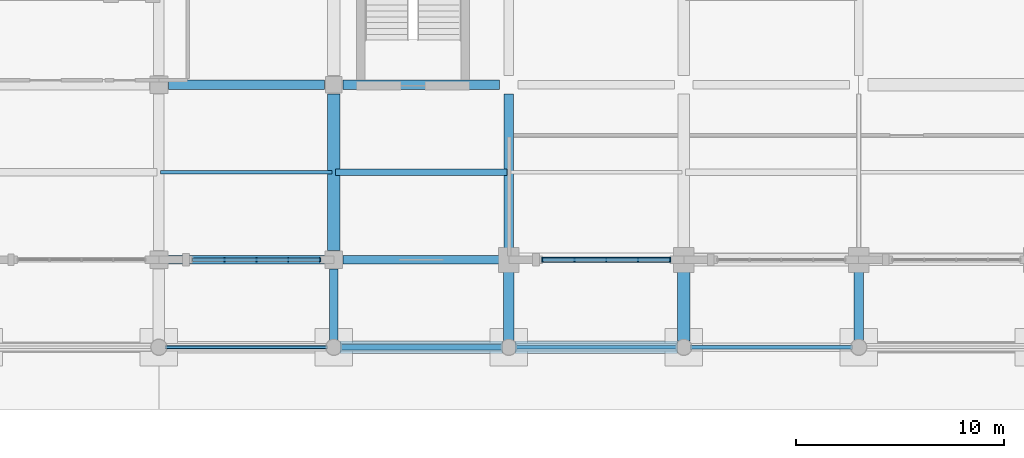
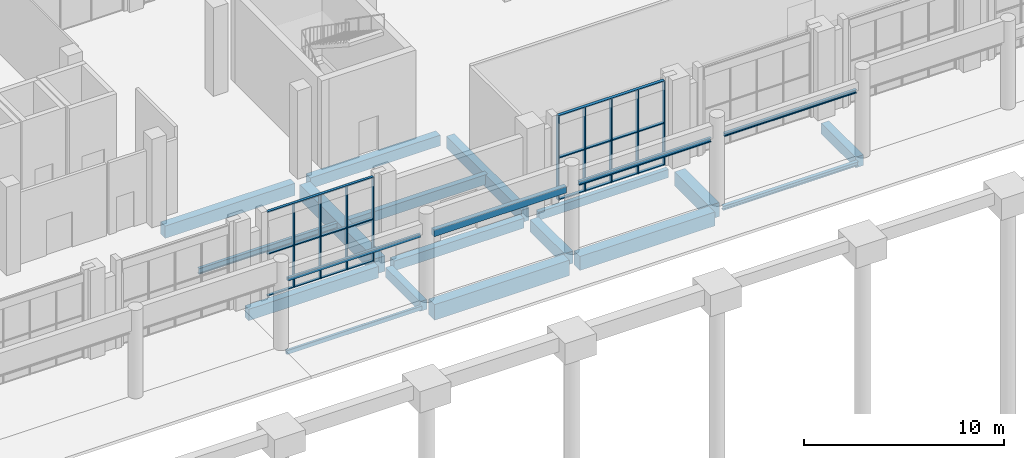
# One storey, part 30 of 82: 21 beams, 15 members, 2 elements without a shape of their own.
"""IFC4 building model written with IfcOpenShell, lengths in metres."""

from ifc_helpers import new_model, si_unit, derived_unit, direction, frame, origin, origin_2d, place, context, subcontext, project, spatial, rectangle, hollow_rectangle, i_section, extrude, material, material_profile, profile_set, type_object, element, aggregate, save


model = new_model("IFC4")

# Units and contexts
model_context = context("Model", 3, precision=1e-05, world=origin(), true_north=direction((0.0, 1.0)))
body_context = subcontext(model_context, "Body", "Model", "MODEL_VIEW")
ifc_project = project(units=[si_unit("LENGTHUNIT", "METRE"), si_unit("AREAUNIT", "SQUARE_METRE"), si_unit("VOLUMEUNIT", "CUBIC_METRE"), si_unit("PLANEANGLEUNIT", "RADIAN"), si_unit("MASSUNIT", "GRAM", prefix="KILO"), derived_unit("THERMALTRANSMITTANCEUNIT", [(si_unit("POWERUNIT", "WATT"), 1), (si_unit("LENGTHUNIT", "METRE"), -2), (si_unit("THERMODYNAMICTEMPERATUREUNIT", "KELVIN"), -1)])], contexts=[model_context])

# Site, building, storey
site_placement = place(None, origin())
site = spatial("IfcSite", under=ifc_project, at=site_placement, CompositionType="ELEMENT")
building_placement = place(site_placement, origin())
building = spatial("IfcBuilding", under=site, at=building_placement, Name="Barrovel Congress Hotel", CompositionType="ELEMENT")
storey_placement = place(building_placement, origin())
storey = spatial("IfcBuildingStorey", under=building, at=storey_placement, Name="L00", CompositionType="ELEMENT", Elevation=0.0)

# Beams
ifc_material_1 = material(Name="Concrete C40", Category="concrete")
ifc_material_profile_1 = material_profile(ifc_material_1, rectangle(XDim=0.25, YDim=0.39990234375, at=origin_2d()), Name="RC250x400")
ifc_profile_set_1 = profile_set([ifc_material_profile_1], Name="Concrete C40")
beam_type_1 = type_object("IfcBeamType", Name="BM-RC250x400", PredefinedType="LINTEL", material=ifc_profile_set_1)
beam_1_placement = place(storey_placement, frame((101.175048828125, 0.0, 3.89990234375), z_axis=(1.0, 0.0, 0.0), x_axis=(0.0, 1.0, 0.0)))
element("IfcBeam", 1, at=beam_1_placement, inside=storey, type_object=beam_type_1, Name="LIN:L00:100.8-109.2", PredefinedType="LINTEL", context=body_context, shape_type="SweptSolid", body=[
    extrude(rectangle(XDim=0.25, YDim=0.39990234375, at=origin_2d()), origin(), (0.0, 0.0, 1.0), 7.64990234375),
])
ifc_material_profile_2 = material_profile(ifc_material_1, rectangle(XDim=0.25, YDim=0.5, at=origin_2d()), Name="RC250x500")
ifc_profile_set_2 = profile_set([ifc_material_profile_2], Name="Concrete C40")
beam_type_2 = type_object("IfcBeamType", Name="BM-RC250x500", PredefinedType="SPANDREL", material=ifc_profile_set_2)
beam_2_placement = place(storey_placement, frame((109.64990234375, 4.199951171875, -0.570068359375), z_axis=(1.0, 0.0, 0.0), x_axis=(0.0, 1.0, 0.0)))
element("IfcBeam", 2, at=beam_2_placement, inside=storey, type_object=beam_type_2, Name="BMX:L00:4.2:109.2-117.6", PredefinedType="SPANDREL", context=body_context, shape_type="SweptSolid", body=[
    extrude(rectangle(XDim=0.25, YDim=0.5, at=origin_2d()), origin(), (0.0, 0.0, 1.0), 7.5),
])
ifc_material_profile_3 = material_profile(ifc_material_1, rectangle(XDim=0.300048828125, YDim=0.60009765625, at=origin_2d()), Name="RC300x600")
ifc_profile_set_3 = profile_set([ifc_material_profile_3], Name="Concrete C40")
beam_type_3 = type_object("IfcBeamType", Name="BM-RC300x600", PredefinedType="JOIST", material=ifc_profile_set_3)
beam_3_placement = place(storey_placement, frame((100.8798828125, 8.39990234375, -0.6201171875), z_axis=(1.0, 0.0, 0.0), x_axis=(0.0, 1.0, 0.0)))
element("IfcBeam", 3, at=beam_3_placement, inside=storey, type_object=beam_type_3, Name="JST:L00:100.8:8.4", PredefinedType="JOIST", context=body_context, shape_type="SweptSolid", body=[
    extrude(rectangle(XDim=0.300048828125, YDim=0.60009765625, at=origin_2d()), origin(), (0.0, 0.0, 1.0), 8.240234375),
])
ifc_material_profile_4 = material_profile(ifc_material_1, rectangle(XDim=0.39990234375, YDim=0.60009765625, at=origin_2d()), Name="RC400x600")
ifc_profile_set_4 = profile_set([ifc_material_profile_4], Name="Concrete C40")
beam_type_4 = type_object("IfcBeamType", Name="BM-RC400x600", PredefinedType="BEAM", material=ifc_profile_set_4)
beam_4_placement = place(storey_placement, frame((101.25, 4.199951171875, -0.6201171875), z_axis=(1.0, 0.0, 0.0), x_axis=(0.0, 1.0, 0.0)))
element("IfcBeam", 4, at=beam_4_placement, inside=storey, type_object=beam_type_4, Name="BMX:L00:4.2:100.8-109.2", PredefinedType="BEAM", context=body_context, shape_type="SweptSolid", body=[
    extrude(rectangle(XDim=0.39990234375, YDim=0.60009765625, at=origin_2d()), origin(), (0.0, 0.0, 1.0), 7.5),
])
beam_5_placement = place(storey_placement, frame((100.800048828125, 0.300048828125, -0.6201171875), z_axis=(0.0, 1.0, 0.0), x_axis=(-1.0, 0.0, 0.0)))
element("IfcBeam", 5, at=beam_5_placement, inside=storey, type_object=beam_type_4, Name="BMY:L00:100.8:0.0-4.2", PredefinedType="BEAM", context=body_context, shape_type="SweptSolid", body=[
    extrude(rectangle(XDim=0.39990234375, YDim=0.60009765625, at=origin_2d()), origin(), (0.0, 0.0, 1.0), 3.449951171875),
])
ifc_material_profile_5 = material_profile(ifc_material_1, rectangle(XDim=0.39990234375, YDim=0.699951171875, at=origin_2d()), Name="RC400x700")
ifc_profile_set_5 = profile_set([ifc_material_profile_5], Name="Concrete C40")
beam_type_5 = type_object("IfcBeamType", Name="BM-RC400x700", PredefinedType="BEAM", material=ifc_profile_set_5)
beam_6_placement = place(storey_placement, frame((92.85009765625, 4.199951171875, -0.669921875), z_axis=(1.0, 0.0, 0.0), x_axis=(0.0, 1.0, 0.0)))
element("IfcBeam", 6, at=beam_6_placement, inside=storey, type_object=beam_type_5, Name="BMX:L00:4.2:92.4-100.8", PredefinedType="BEAM", context=body_context, shape_type="SweptSolid", body=[
    extrude(rectangle(XDim=0.39990234375, YDim=0.699951171875, at=origin_2d()), origin(), (0.0, 0.0, 1.0), 7.5),
])
ifc_material_profile_6 = material_profile(ifc_material_1, rectangle(XDim=0.449951171875, YDim=0.64990234375, at=origin_2d()), Name="RC450x650")
ifc_profile_set_6 = profile_set([ifc_material_profile_6], Name="Concrete C40")
beam_type_6 = type_object("IfcBeamType", Name="BM-RC450x650", PredefinedType="BEAM", material=ifc_profile_set_6)
beam_7_placement = place(storey_placement, frame((101.25, 12.60009765625, -0.64501953125), z_axis=(1.0, 0.0, 0.0), x_axis=(0.0, 1.0, 0.0)))
element("IfcBeam", 7, at=beam_7_placement, inside=storey, type_object=beam_type_6, Name="BMX:L00:12.6:100.8-109.2", PredefinedType="BEAM", context=body_context, shape_type="SweptSolid", body=[
    extrude(rectangle(XDim=0.449951171875, YDim=0.64990234375, at=origin_2d()), origin(), (0.0, 0.0, 1.0), 7.5),
])
beam_8_placement = place(storey_placement, frame((126.0, 0.300048828125, -0.64501953125), z_axis=(0.0, 1.0, 0.0), x_axis=(-1.0, 0.0, 0.0)))
element("IfcBeam", 8, at=beam_8_placement, inside=storey, type_object=beam_type_6, Name="BMY:L00:126.0:0.0-4.2", PredefinedType="BEAM", context=body_context, shape_type="SweptSolid", body=[
    extrude(rectangle(XDim=0.449951171875, YDim=0.64990234375, at=origin_2d()), origin(), (0.0, 0.0, 1.0), 3.449951171875),
])
ifc_material_profile_7 = material_profile(ifc_material_1, rectangle(XDim=0.449951171875, YDim=0.75, at=origin_2d()), Name="RC450x750")
ifc_profile_set_7 = profile_set([ifc_material_profile_7], Name="Concrete C40")
beam_type_7 = type_object("IfcBeamType", Name="BM-RC450x750", PredefinedType="BEAM", material=ifc_profile_set_7)
for number, where, z_axis, x_axis, name in (
    (9, (92.85009765625, 12.60009765625, -0.695068359375), (1.0, 0.0, 0.0), (0.0, 1.0, 0.0), "BMX:L00:12.6:92.4-100.8"),
    (10, (109.199951171875, 4.64990234375, -0.695068359375), (0.0, 1.0, 0.0), (-1.0, 0.0, 0.0), "BMY:L00:109.2:4.2-12.6"),
):
    element("IfcBeam", number, at=place(storey_placement, frame(where, z_axis=z_axis, x_axis=x_axis)), inside=storey, type_object=beam_type_7, Name=name, PredefinedType="BEAM", context=body_context, shape_type="SweptSolid", body=[
        extrude(rectangle(XDim=0.449951171875, YDim=0.75, at=origin_2d()), origin(), (0.0, 0.0, 1.0), 7.5),
    ])
ifc_material_profile_8 = material_profile(ifc_material_1, rectangle(XDim=0.5, YDim=0.75, at=origin_2d()), Name="RC500x750")
ifc_profile_set_8 = profile_set([ifc_material_profile_8], Name="Concrete C40")
beam_type_8 = type_object("IfcBeamType", Name="BM-RC500x750", PredefinedType="BEAM", material=ifc_profile_set_8)
beam_9_placement = place(storey_placement, frame((109.199951171875, 0.300048828125, -0.695068359375), z_axis=(0.0, 1.0, 0.0), x_axis=(-1.0, 0.0, 0.0)))
element("IfcBeam", 11, at=beam_9_placement, inside=storey, type_object=beam_type_8, Name="BMY:L00:109.2:0.0-4.2", PredefinedType="BEAM", context=body_context, shape_type="SweptSolid", body=[
    extrude(rectangle(XDim=0.5, YDim=0.75, at=origin_2d()), origin(), (0.0, 0.0, 1.0), 3.449951171875),
])
ifc_material_profile_9 = material_profile(ifc_material_1, rectangle(XDim=0.60009765625, YDim=0.85009765625, at=origin_2d()), Name="RC600x850")
ifc_profile_set_9 = profile_set([ifc_material_profile_9], Name="Concrete C40")
beam_type_9 = type_object("IfcBeamType", Name="BM-RC600x850", PredefinedType="BEAM", material=ifc_profile_set_9)
beam_10_placement = place(storey_placement, frame((109.5, 0.0, -0.7451171875), z_axis=(1.0, 0.0, 0.0), x_axis=(0.0, 1.0, 0.0)))
element("IfcBeam", 12, at=beam_10_placement, inside=storey, type_object=beam_type_9, Name="BMX:L00:0.0:109.2-117.6", PredefinedType="BEAM", context=body_context, shape_type="SweptSolid", body=[
    extrude(rectangle(XDim=0.60009765625, YDim=0.85009765625, at=origin_2d()), origin(), (0.0, 0.0, 1.0), 7.800048828125),
])
beam_11_placement = place(storey_placement, frame((117.60009765625, 0.300048828125, -0.7451171875), z_axis=(0.0, 1.0, 0.0), x_axis=(-1.0, 0.0, 0.0)))
element("IfcBeam", 13, at=beam_11_placement, inside=storey, type_object=beam_type_9, Name="BMY:L00:117.6:0.0-4.2", PredefinedType="BEAM", context=body_context, shape_type="SweptSolid", body=[
    extrude(rectangle(XDim=0.60009765625, YDim=0.85009765625, at=origin_2d()), origin(), (0.0, 0.0, 1.0), 3.449951171875),
])
ifc_material_profile_10 = material_profile(ifc_material_1, rectangle(XDim=0.60009765625, YDim=0.949951171875, at=origin_2d()), Name="RC600x950")
ifc_profile_set_10 = profile_set([ifc_material_profile_10], Name="Concrete C40")
beam_type_10 = type_object("IfcBeamType", Name="BM-RC600x950", PredefinedType="BEAM", material=ifc_profile_set_10)
beam_12_placement = place(storey_placement, frame((101.10009765625, 0.0, -0.794921875), z_axis=(1.0, 0.0, 0.0), x_axis=(0.0, 1.0, 0.0)))
element("IfcBeam", 14, at=beam_12_placement, inside=storey, type_object=beam_type_10, Name="BMX:L00:0.0:100.8-109.2", PredefinedType="BEAM", context=body_context, shape_type="SweptSolid", body=[
    extrude(rectangle(XDim=0.60009765625, YDim=0.949951171875, at=origin_2d()), origin(), (0.0, 0.0, 1.0), 7.7998046875),
])
beam_13_placement = place(storey_placement, frame((100.800048828125, 4.64990234375, -0.794921875), z_axis=(0.0, 1.0, 0.0), x_axis=(-1.0, 0.0, 0.0)))
element("IfcBeam", 15, at=beam_13_placement, inside=storey, type_object=beam_type_10, Name="BMY:L00:100.8:4.2-12.6", PredefinedType="BEAM", context=body_context, shape_type="SweptSolid", body=[
    extrude(rectangle(XDim=0.60009765625, YDim=0.949951171875, at=origin_2d()), origin(), (0.0, 0.0, 1.0), 7.5),
])

# Curtain wall, members
ifc_material_2 = material(Name="Anodised Aluminium Alloy 6063-T6", Category="aluminium")
curtain_wall_type = type_object("IfcCurtainWallType", Name="CW-ST-7200x4800", PredefinedType="USERDEFINED", material=ifc_material_2)
curtain_wall_1_placement = place(storey_placement, origin())
curtain_wall_1 = element("IfcCurtainWall", 16, at=curtain_wall_1_placement, inside=storey, type_object=curtain_wall_type, Name="CW:L00:S:11", ObjectType="STICK CURTAIN WALL", PredefinedType="USERDEFINED")
ifc_material_profile_11 = material_profile(ifc_material_2, rectangle(XDim=0.06494140625, YDim=0.18994140625, at=origin_2d()), Name="AL-M65x190")
ifc_profile_set_11 = profile_set([ifc_material_profile_11], Name="Anodised Aluminium Alloy 6063-T6")
member_type_1 = type_object("IfcMemberType", Name="CWM-AL-M65x190", PredefinedType="MULLION", material=ifc_profile_set_11)
member_1_placement = place(storey_placement, frame((95.550048828125, 4.199951171875, 0.0), z_axis=(0.0, 0.0, 1.0), x_axis=(1.0, 0.0, 0.0)))
member_1 = element("IfcMember", 17, at=member_1_placement, type_object=member_type_1, Name="CW:L00:S:11:M1", PredefinedType="MULLION", context=body_context, shape_type="SweptSolid", body=[
    extrude(rectangle(XDim=0.06494140625, YDim=0.18994140625, at=origin_2d()), origin(), (0.0, 0.0, 1.0), 5.1201171875),
])
member_2_placement = place(storey_placement, frame((97.080078125, 4.199951171875, 0.0), z_axis=(0.0, 0.0, 1.0), x_axis=(1.0, 0.0, 0.0)))
member_2 = element("IfcMember", 18, at=member_2_placement, type_object=member_type_1, Name="CW:L00:S:11:M2", PredefinedType="MULLION", context=body_context, shape_type="SweptSolid", body=[
    extrude(rectangle(XDim=0.06494140625, YDim=0.18994140625, at=origin_2d()), origin(), (0.0, 0.0, 1.0), 5.1201171875),
])
member_3_placement = place(storey_placement, frame((98.610107421875, 4.199951171875, 0.0), z_axis=(0.0, 0.0, 1.0), x_axis=(1.0, 0.0, 0.0)))
member_3 = element("IfcMember", 19, at=member_3_placement, type_object=member_type_1, Name="CW:L00:S:11:M3", PredefinedType="MULLION", context=body_context, shape_type="SweptSolid", body=[
    extrude(rectangle(XDim=0.06494140625, YDim=0.18994140625, at=origin_2d()), origin(), (0.0, 0.0, 1.0), 5.1201171875),
])
member_4_placement = place(storey_placement, frame((100.139892578125, 4.199951171875, 0.0), z_axis=(0.0, 0.0, 1.0), x_axis=(1.0, 0.0, 0.0)))
member_4 = element("IfcMember", 20, at=member_4_placement, type_object=member_type_1, Name="CW:L00:S:11:M4", PredefinedType="MULLION", context=body_context, shape_type="SweptSolid", body=[
    extrude(rectangle(XDim=0.06494140625, YDim=0.18994140625, at=origin_2d()), origin(), (0.0, 0.0, 1.0), 5.1201171875),
])

curtain_wall_2_placement = place(storey_placement, origin())
curtain_wall_2 = element("IfcCurtainWall", 21, at=curtain_wall_2_placement, inside=storey, type_object=curtain_wall_type, Name="CW:L00:S:13", ObjectType="STICK CURTAIN WALL", PredefinedType="USERDEFINED")
ifc_material_profile_12 = material_profile(ifc_material_2, rectangle(XDim=0.06494140625, YDim=0.219970703125, at=origin_2d()), Name="AL-M65x220")
ifc_profile_set_12 = profile_set([ifc_material_profile_12], Name="Anodised Aluminium Alloy 6063-T6")
member_type_2 = type_object("IfcMemberType", Name="CWM-AL-M65x220", PredefinedType="MULLION", material=ifc_profile_set_12)
member_5_placement = place(storey_placement, frame((110.820068359375, 4.199951171875, 0.0), z_axis=(0.0, 0.0, 1.0), x_axis=(1.0, 0.0, 0.0)))
member_5 = element("IfcMember", 22, at=member_5_placement, type_object=member_type_2, Name="CW:L00:S:13:M0", PredefinedType="MULLION", context=body_context, shape_type="SweptSolid", body=[
    extrude(rectangle(XDim=0.06494140625, YDim=0.219970703125, at=origin_2d()), origin(), (0.0, 0.0, 1.0), 5.1201171875),
])
member_6_placement = place(storey_placement, frame((112.35009765625, 4.199951171875, 0.0), z_axis=(0.0, 0.0, 1.0), x_axis=(1.0, 0.0, 0.0)))
member_6 = element("IfcMember", 23, at=member_6_placement, type_object=member_type_2, Name="CW:L00:S:13:M1", PredefinedType="MULLION", context=body_context, shape_type="SweptSolid", body=[
    extrude(rectangle(XDim=0.06494140625, YDim=0.219970703125, at=origin_2d()), origin(), (0.0, 0.0, 1.0), 5.1201171875),
])
member_7_placement = place(storey_placement, frame((113.8798828125, 4.199951171875, 0.0), z_axis=(0.0, 0.0, 1.0), x_axis=(1.0, 0.0, 0.0)))
member_7 = element("IfcMember", 24, at=member_7_placement, type_object=member_type_2, Name="CW:L00:S:13:M2", PredefinedType="MULLION", context=body_context, shape_type="SweptSolid", body=[
    extrude(rectangle(XDim=0.06494140625, YDim=0.219970703125, at=origin_2d()), origin(), (0.0, 0.0, 1.0), 5.1201171875),
])
member_8_placement = place(storey_placement, frame((115.409912109375, 4.199951171875, 0.0), z_axis=(0.0, 0.0, 1.0), x_axis=(1.0, 0.0, 0.0)))
member_8 = element("IfcMember", 25, at=member_8_placement, type_object=member_type_2, Name="CW:L00:S:13:M3", PredefinedType="MULLION", context=body_context, shape_type="SweptSolid", body=[
    extrude(rectangle(XDim=0.06494140625, YDim=0.219970703125, at=origin_2d()), origin(), (0.0, 0.0, 1.0), 5.1201171875),
])
member_9_placement = place(storey_placement, frame((116.93994140625, 4.199951171875, 0.0), z_axis=(0.0, 0.0, 1.0), x_axis=(1.0, 0.0, 0.0)))
member_9 = element("IfcMember", 26, at=member_9_placement, type_object=member_type_2, Name="CW:L00:S:13:M4", PredefinedType="MULLION", context=body_context, shape_type="SweptSolid", body=[
    extrude(rectangle(XDim=0.06494140625, YDim=0.219970703125, at=origin_2d()), origin(), (0.0, 0.0, 1.0), 5.1201171875),
])

# Member
ifc_material_profile_13 = material_profile(ifc_material_2, rectangle(XDim=0.14990234375, YDim=0.06494140625, at=origin_2d()), Name="AL-T65x150")
ifc_profile_set_13 = profile_set([ifc_material_profile_13], Name="Anodised Aluminium Alloy 6063-T6")
member_type_3 = type_object("IfcMemberType", Name="CWT-AL-T65x150", PredefinedType="USERDEFINED", material=ifc_profile_set_13)
member_10_placement = place(storey_placement, frame((94.02001953125, 4.199951171875, 0.0), z_axis=(1.0, 0.0, 0.0), x_axis=(0.0, 1.0, 0.0)))
member_10 = element("IfcMember", 27, at=member_10_placement, type_object=member_type_3, Name="CW:L00:S:11:T0", ObjectType="TRANSOM", PredefinedType="USERDEFINED", context=body_context, shape_type="SweptSolid", body=[
    extrude(rectangle(XDim=0.14990234375, YDim=0.06494140625, at=origin_2d()), origin(), (0.0, 0.0, 1.0), 6.119873046875),
])

member_11_placement = place(storey_placement, frame((94.02001953125, 4.199951171875, 2.56005859375), z_axis=(1.0, 0.0, 0.0), x_axis=(0.0, 1.0, 0.0)))
member_11 = element("IfcMember", 28, at=member_11_placement, type_object=member_type_3, Name="CW:L00:S:11:T1", ObjectType="TRANSOM", PredefinedType="USERDEFINED", context=body_context, shape_type="SweptSolid", body=[
    extrude(rectangle(XDim=0.14990234375, YDim=0.06494140625, at=origin_2d()), origin(), (0.0, 0.0, 1.0), 6.119873046875),
])

member_12_placement = place(storey_placement, frame((94.02001953125, 4.199951171875, 5.1201171875), z_axis=(1.0, 0.0, 0.0), x_axis=(0.0, 1.0, 0.0)))
member_12 = element("IfcMember", 29, at=member_12_placement, type_object=member_type_3, Name="CW:L00:S:11:T2", ObjectType="TRANSOM", PredefinedType="USERDEFINED", context=body_context, shape_type="SweptSolid", body=[
    extrude(rectangle(XDim=0.14990234375, YDim=0.06494140625, at=origin_2d()), origin(), (0.0, 0.0, 1.0), 6.119873046875),
])

aggregate(curtain_wall_1, [member_1, member_2, member_3, member_4, member_10, member_11, member_12])

ifc_material_profile_14 = material_profile(ifc_material_2, rectangle(XDim=0.179931640625, YDim=0.06494140625, at=origin_2d()), Name="AL-T65x180")
ifc_profile_set_14 = profile_set([ifc_material_profile_14], Name="Anodised Aluminium Alloy 6063-T6")
member_type_4 = type_object("IfcMemberType", Name="CWT-AL-T65x180", PredefinedType="USERDEFINED", material=ifc_profile_set_14)
member_13_placement = place(storey_placement, frame((110.820068359375, 4.199951171875, 0.0), z_axis=(1.0, 0.0, 0.0), x_axis=(0.0, 1.0, 0.0)))
member_13 = element("IfcMember", 30, at=member_13_placement, type_object=member_type_4, Name="CW:L00:S:13:T0", ObjectType="TRANSOM", PredefinedType="USERDEFINED", context=body_context, shape_type="SweptSolid", body=[
    extrude(rectangle(XDim=0.179931640625, YDim=0.06494140625, at=origin_2d()), origin(), (0.0, 0.0, 1.0), 6.119873046875),
])

member_14_placement = place(storey_placement, frame((110.820068359375, 4.199951171875, 2.56005859375), z_axis=(1.0, 0.0, 0.0), x_axis=(0.0, 1.0, 0.0)))
member_14 = element("IfcMember", 31, at=member_14_placement, type_object=member_type_4, Name="CW:L00:S:13:T1", ObjectType="TRANSOM", PredefinedType="USERDEFINED", context=body_context, shape_type="SweptSolid", body=[
    extrude(rectangle(XDim=0.179931640625, YDim=0.06494140625, at=origin_2d()), origin(), (0.0, 0.0, 1.0), 6.119873046875),
])

member_15_placement = place(storey_placement, frame((110.820068359375, 4.199951171875, 5.1201171875), z_axis=(1.0, 0.0, 0.0), x_axis=(0.0, 1.0, 0.0)))
member_15 = element("IfcMember", 32, at=member_15_placement, type_object=member_type_4, Name="CW:L00:S:13:T2", ObjectType="TRANSOM", PredefinedType="USERDEFINED", context=body_context, shape_type="SweptSolid", body=[
    extrude(rectangle(XDim=0.179931640625, YDim=0.06494140625, at=origin_2d()), origin(), (0.0, 0.0, 1.0), 6.119873046875),
])

aggregate(curtain_wall_2, [member_5, member_6, member_7, member_8, member_9, member_13, member_14, member_15])

# Beams
ifc_material_3 = material(Name="Steel ASTM A500 Grade C", Category="steel")
ifc_material_profile_15 = material_profile(ifc_material_3, hollow_rectangle(XDim=0.15234375, YDim=0.203125, WallThickness=0.0087890625, InnerFilletRadius=0.0087890625, OuterFilletRadius=0.017578125, at=origin_2d()), Name="HSS203x152x9.5")
ifc_profile_set_15 = profile_set([ifc_material_profile_15], Name="Steel ASTM A500 Grade C")
beam_type_11 = type_object("IfcBeamType", Name="SBM-HSS203x152x9.5", PredefinedType="LINTEL", material=ifc_profile_set_15)
beam_14_placement = place(storey_placement, frame((92.77490234375, 0.0, 3.998291015625), z_axis=(1.0, 0.0, 0.0), x_axis=(0.0, 1.0, 0.0)))
element("IfcBeam", 33, at=beam_14_placement, inside=storey, type_object=beam_type_11, Name="LIN:L00:92.4-100.8", PredefinedType="LINTEL", context=body_context, shape_type="SweptSolid", body=[
    extrude(hollow_rectangle(XDim=0.15234375, YDim=0.203125, WallThickness=0.0087890625, InnerFilletRadius=0.0087890625, OuterFilletRadius=0.017578125, at=origin_2d()), origin(), (0.0, 0.0, 1.0), 7.650146484375),
])
ifc_material_profile_16 = material_profile(ifc_material_3, hollow_rectangle(XDim=0.15234375, YDim=0.25390625, WallThickness=0.0087890625, InnerFilletRadius=0.0087890625, OuterFilletRadius=0.017578125, at=origin_2d()), Name="HSS254x152x9.5")
ifc_profile_set_16 = profile_set([ifc_material_profile_16], Name="Steel ASTM A500 Grade C")
beam_type_12 = type_object("IfcBeamType", Name="SBM-HSS254x152x9.5", PredefinedType="SPANDREL", material=ifc_profile_set_16)
beam_15_placement = place(storey_placement, frame((92.699951171875, 0.0, -0.447021484375), z_axis=(1.0, 0.0, 0.0), x_axis=(0.0, 1.0, 0.0)))
element("IfcBeam", 34, at=beam_15_placement, inside=storey, type_object=beam_type_12, Name="BMX:L00:0.0:92.4-100.8", PredefinedType="SPANDREL", context=body_context, shape_type="SweptSolid", body=[
    extrude(hollow_rectangle(XDim=0.15234375, YDim=0.25390625, WallThickness=0.0087890625, InnerFilletRadius=0.0087890625, OuterFilletRadius=0.017578125, at=origin_2d()), origin(), (0.0, 0.0, 1.0), 7.800048828125),
])
ifc_material_4 = material(Name="Steel ASTM A992 Grade 50", Category="steel")
ifc_material_profile_17 = material_profile(ifc_material_4, i_section(OverallWidth=0.166015625, OverallDepth=0.205078125, WebThickness=0.007080078125, FlangeThickness=0.01171875, FilletRadius=0.010009765625, at=origin_2d()), Name="W200x42")
ifc_profile_set_17 = profile_set([ifc_material_profile_17], Name="Steel ASTM A992 Grade 50")
beam_type_13 = type_object("IfcBeamType", Name="SBM-W200x42", PredefinedType="LINTEL", material=ifc_profile_set_17)
beam_16_placement = place(storey_placement, frame((117.97509765625, 0.0, 3.99755859375), z_axis=(1.0, 0.0, 0.0), x_axis=(0.0, 1.0, 0.0)))
element("IfcBeam", 35, at=beam_16_placement, inside=storey, type_object=beam_type_13, Name="LIN:L00:117.6-126.0", PredefinedType="LINTEL", context=body_context, shape_type="SweptSolid", body=[
    extrude(i_section(OverallWidth=0.166015625, OverallDepth=0.205078125, WebThickness=0.007080078125, FlangeThickness=0.01171875, FilletRadius=0.010009765625, at=origin_2d()), origin(), (0.0, 0.0, 1.0), 7.64990234375),
])
ifc_material_profile_18 = material_profile(ifc_material_4, i_section(OverallWidth=0.14599609375, OverallDepth=0.258056640625, WebThickness=0.006103515625, FlangeThickness=0.009033203125, FilletRadius=0.010009765625, at=origin_2d()), Name="W250x33")
ifc_profile_set_18 = profile_set([ifc_material_profile_18], Name="Steel ASTM A992 Grade 50")
beam_type_14 = type_object("IfcBeamType", Name="SBM-W250x33", PredefinedType="LINTEL", material=ifc_profile_set_18)
beam_17_placement = place(storey_placement, frame((109.574951171875, 0.0, 3.970947265625), z_axis=(1.0, 0.0, 0.0), x_axis=(0.0, 1.0, 0.0)))
element("IfcBeam", 36, at=beam_17_placement, inside=storey, type_object=beam_type_14, Name="LIN:L00:109.2-117.6", PredefinedType="LINTEL", context=body_context, shape_type="SweptSolid", body=[
    extrude(i_section(OverallWidth=0.14599609375, OverallDepth=0.258056640625, WebThickness=0.006103515625, FlangeThickness=0.009033203125, FilletRadius=0.010009765625, at=origin_2d()), origin(), (0.0, 0.0, 1.0), 7.650146484375),
])
ifc_material_profile_19 = material_profile(ifc_material_4, i_section(OverallWidth=0.201904296875, OverallDepth=0.2470703125, WebThickness=0.00732421875, FlangeThickness=0.010986328125, FilletRadius=0.011962890625, at=origin_2d()), Name="W250x49")
ifc_profile_set_19 = profile_set([ifc_material_profile_19], Name="Steel ASTM A992 Grade 50")
beam_type_15 = type_object("IfcBeamType", Name="SBM-W250x49", PredefinedType="SPANDREL", material=ifc_profile_set_19)
beam_18_placement = place(storey_placement, frame((117.89990234375, 0.0, -0.443603515625), z_axis=(1.0, 0.0, 0.0), x_axis=(0.0, 1.0, 0.0)))
element("IfcBeam", 37, at=beam_18_placement, inside=storey, type_object=beam_type_15, Name="BMX:L00:0.0:117.6-126.0", PredefinedType="SPANDREL", context=body_context, shape_type="SweptSolid", body=[
    extrude(i_section(OverallWidth=0.201904296875, OverallDepth=0.2470703125, WebThickness=0.00732421875, FlangeThickness=0.010986328125, FilletRadius=0.011962890625, at=origin_2d()), origin(), (0.0, 0.0, 1.0), 7.800048828125),
])
ifc_material_profile_20 = material_profile(ifc_material_4, i_section(OverallWidth=0.1708984375, OverallDepth=0.35205078125, WebThickness=0.0068359375, FlangeThickness=0.009765625, FilletRadius=0.011962890625, at=origin_2d()), Name="W360x44")
ifc_profile_set_20 = profile_set([ifc_material_profile_20], Name="Steel ASTM A992 Grade 50")
beam_type_16 = type_object("IfcBeamType", Name="SBM-W360x44", PredefinedType="JOIST", material=ifc_profile_set_20)
beam_19_placement = place(storey_placement, frame((92.47998046875, 8.39990234375, -0.49609375), z_axis=(1.0, 0.0, 0.0), x_axis=(0.0, 1.0, 0.0)))
element("IfcBeam", 38, at=beam_19_placement, inside=storey, type_object=beam_type_16, Name="JST:L00:92.4:8.4", PredefinedType="JOIST", context=body_context, shape_type="SweptSolid", body=[
    extrude(i_section(OverallWidth=0.1708984375, OverallDepth=0.35205078125, WebThickness=0.0068359375, FlangeThickness=0.009765625, FilletRadius=0.011962890625, at=origin_2d()), origin(), (0.0, 0.0, 1.0), 8.239990234375),
])

save(model, "model.ifc")
